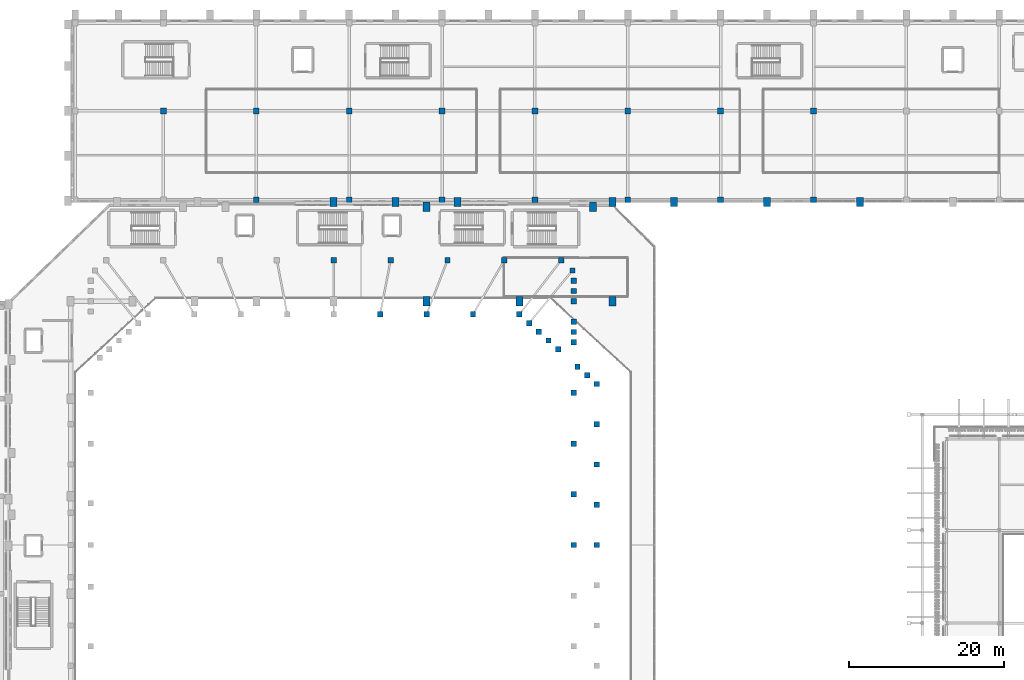
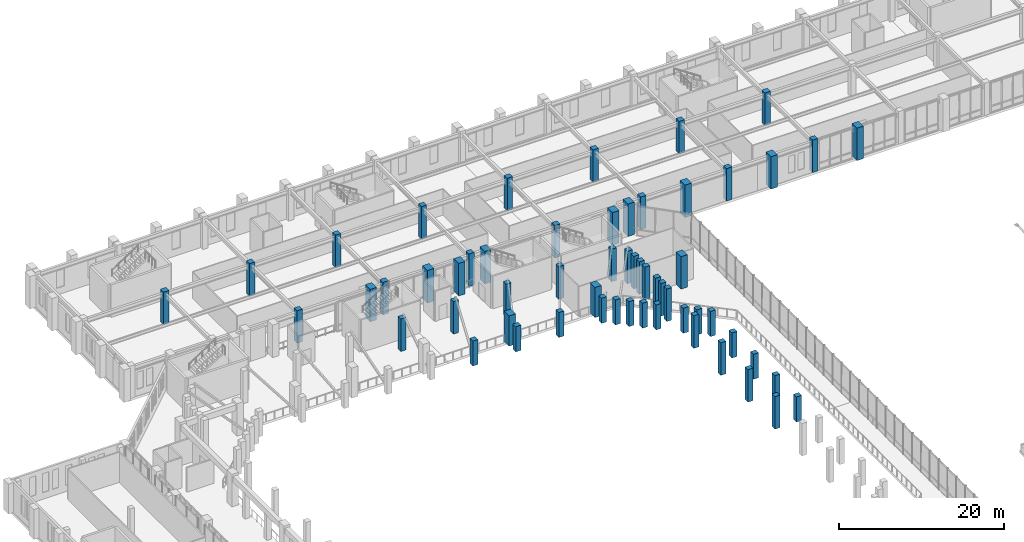
# One storey, part 3 of 126: 58 columns.
"""IFC4 building model written with IfcOpenShell, lengths in metres."""

from ifc_helpers import new_model, si_unit, derived_unit, direction, frame, origin, origin_2d, place, context, subcontext, project, spatial, rectangle, extrude, material, material_profile, profile_set, type_object, element, save


model = new_model("IFC4")

# Units and contexts
model_context = context("Model", 3, precision=1e-05, world=origin(), true_north=direction((0.0, 1.0)))
body_context = subcontext(model_context, "Body", "Model", "MODEL_VIEW")
ifc_project = project(units=[si_unit("LENGTHUNIT", "METRE"), si_unit("AREAUNIT", "SQUARE_METRE"), si_unit("VOLUMEUNIT", "CUBIC_METRE"), si_unit("PLANEANGLEUNIT", "RADIAN"), si_unit("MASSUNIT", "GRAM", prefix="KILO"), derived_unit("THERMALTRANSMITTANCEUNIT", [(si_unit("MASSUNIT", "GRAM", prefix="KILO"), 1), (si_unit("TIMEUNIT", "SECOND"), -3), (si_unit("THERMODYNAMICTEMPERATUREUNIT", "KELVIN"), -1)])], contexts=[model_context])

# Site, building, storey
site_placement = place(None, origin())
site = spatial("IfcSite", under=ifc_project, at=site_placement, CompositionType="ELEMENT")
building_placement = place(site_placement, origin())
building = spatial("IfcBuilding", under=site, at=building_placement, Name="Valcora Ridge Arena", CompositionType="ELEMENT")
storey_placement = place(building_placement, frame((0.0, 0.0, 11.39990234375)))
storey = spatial("IfcBuildingStorey", under=building, at=storey_placement, Name="L02", CompositionType="ELEMENT", Elevation=11.39990234375)

# Columns
ifc_material_1 = material(Name="Bush-hammered Andean travertine architectural concrete C45/55", Category="masonry")
ifc_material_profile_1 = material_profile(ifc_material_1, rectangle(XDim=0.89990234375, YDim=1.199951171875, at=origin_2d()), Name="RC 900x1200")
ifc_profile_set_1 = profile_set([ifc_material_profile_1], Name="Bush-hammered Andean travertine architectural concrete C45/55")
column_type_1 = type_object("IfcColumnType", Name="TY-COLUMN-C-BUTT-1200", PredefinedType="PILASTER", material=ifc_profile_set_1)
for number, where, z_axis, x_axis, name in (
    (1, (70.0, 107.800048828125, 0.0), (0.0, 0.0, 1.0), (1.0, 0.0, 0.0), "C-BUTT-1200 COL-C-BUTT-1200-0028"),
    (2, (91.5, 107.800048828125, 0.0), (0.0, 0.0, 1.0), (1.0, 0.0, 0.0), "C-BUTT-1200 COL-C-BUTT-1200-0032"),
    (3, (58.0, 108.419921875, 0.0), (0.0, 0.0, 1.0), (1.0, 0.0, 0.0), "C-BUTT-1200 COL-C-BUTT-1200-0338"),
    (4, (66.0, 108.419921875, 0.0), (0.0, 0.0, 1.0), (1.0, 0.0, 0.0), "C-BUTT-1200 COL-C-BUTT-1200-0342"),
    (5, (74.0, 108.419921875, 0.0), (0.0, 0.0, 1.0), (1.0, 0.0, 0.0), "C-BUTT-1200 COL-C-BUTT-1200-0346"),
    (6, (94.0, 108.419921875, 0.0), (0.0, 0.0, 1.0), (1.0, 0.0, 0.0), "C-BUTT-1200 COL-C-BUTT-1200-0350"),
    (7, (102.0, 108.419921875, 0.0), (0.0, 0.0, 1.0), (1.0, 0.0, 0.0), "C-BUTT-1200 COL-C-BUTT-1200-0354"),
    (8, (114.0, 108.419921875, 0.0), (0.0, 0.0, 1.0), (1.0, 0.0, 0.0), "C-BUTT-1200 COL-C-BUTT-1200-0358"),
    (9, (126.0, 108.419921875, 0.0), (0.0, 0.0, 1.0), (1.0, 0.0, 0.0), "C-BUTT-1200 COL-C-BUTT-1200-0362"),
):
    element("IfcColumn", number, at=place(storey_placement, frame(where, z_axis=z_axis, x_axis=x_axis)), inside=storey, type_object=column_type_1, Name=name, PredefinedType="PILASTER", context=body_context, shape_type="SweptSolid", body=[
        extrude(rectangle(XDim=0.89990234375, YDim=1.199951171875, at=origin_2d()), origin(), (0.0, 0.0, 1.0), 4.800048828125),
    ])
ifc_material_2 = material(Name="Concrete C40/50", Category="concrete")
ifc_material_profile_2 = material_profile(ifc_material_2, rectangle(XDim=0.75, YDim=0.75, at=origin_2d()), Name="RC 750x750")
ifc_profile_set_2 = profile_set([ifc_material_profile_2], Name="Concrete C40/50")
column_type_2 = type_object("IfcColumnType", Name="TY-COLUMN-C-RC750", PredefinedType="COLUMN", material=ifc_profile_set_2)
for number, where, z_axis, x_axis, name in (
    (10, (36.0, 120.199951171875, 0.0), (0.0, 0.0, 1.0), (1.0, 0.0, 0.0), "C-RC750 COL-C-RC750-0009"),
    (11, (48.0, 108.699951171875, 0.0), (0.0, 0.0, 1.0), (1.0, 0.0, 0.0), "C-RC750 COL-C-RC750-0013"),
    (12, (48.0, 120.199951171875, 0.0), (0.0, 0.0, 1.0), (1.0, 0.0, 0.0), "C-RC750 COL-C-RC750-0015"),
    (13, (60.0, 108.699951171875, 0.0), (0.0, 0.0, 1.0), (1.0, 0.0, 0.0), "C-RC750 COL-C-RC750-0019"),
    (14, (60.0, 120.199951171875, 0.0), (0.0, 0.0, 1.0), (1.0, 0.0, 0.0), "C-RC750 COL-C-RC750-0021"),
    (15, (72.0, 108.699951171875, 0.0), (0.0, 0.0, 1.0), (1.0, 0.0, 0.0), "C-RC750 COL-C-RC750-0025"),
    (16, (72.0, 120.199951171875, 0.0), (0.0, 0.0, 1.0), (1.0, 0.0, 0.0), "C-RC750 COL-C-RC750-0027"),
    (17, (84.0, 108.699951171875, 0.0), (0.0, 0.0, 1.0), (1.0, 0.0, 0.0), "C-RC750 COL-C-RC750-0031"),
    (18, (84.0, 120.199951171875, 0.0), (0.0, 0.0, 1.0), (1.0, 0.0, 0.0), "C-RC750 COL-C-RC750-0033"),
    (19, (96.0, 108.699951171875, 0.0), (0.0, 0.0, 1.0), (1.0, 0.0, 0.0), "C-RC750 COL-C-RC750-0037"),
    (20, (96.0, 120.199951171875, 0.0), (0.0, 0.0, 1.0), (1.0, 0.0, 0.0), "C-RC750 COL-C-RC750-0039"),
    (21, (108.0, 108.699951171875, 0.0), (0.0, 0.0, 1.0), (1.0, 0.0, 0.0), "C-RC750 COL-C-RC750-0043"),
    (22, (108.0, 120.199951171875, 0.0), (0.0, 0.0, 1.0), (1.0, 0.0, 0.0), "C-RC750 COL-C-RC750-0045"),
    (23, (120.0, 108.699951171875, 0.0), (0.0, 0.0, 1.0), (1.0, 0.0, 0.0), "C-RC750 COL-C-RC750-0049"),
    (24, (120.0, 120.199951171875, 0.0), (0.0, 0.0, 1.0), (1.0, 0.0, 0.0), "C-RC750 COL-C-RC750-0051"),
):
    element("IfcColumn", number, at=place(storey_placement, frame(where, z_axis=z_axis, x_axis=x_axis)), inside=storey, type_object=column_type_2, Name=name, PredefinedType="COLUMN", context=body_context, shape_type="SweptSolid", body=[
        extrude(rectangle(XDim=0.75, YDim=0.75, at=origin_2d()), origin(), (0.0, 0.0, 1.0), 4.800048828125),
    ])
ifc_material_profile_3 = material_profile(ifc_material_2, rectangle(XDim=0.89990234375, YDim=1.199951171875, at=origin_2d()), Name="RC 900x1200")
ifc_profile_set_3 = profile_set([ifc_material_profile_3], Name="Concrete C40/50")
column_type_3 = type_object("IfcColumnType", Name="TY-COLUMN-C-RC900", PredefinedType="COLUMN", material=ifc_profile_set_3)
for number, where, z_axis, x_axis, name in (
    (25, (70.0, 95.60009765625, 0.0), (0.0, 0.0, 1.0), (1.0, 0.0, 0.0), "C-RC900 COL-C-RC900-0032"),
    (26, (82.0, 95.60009765625, 0.0), (0.0, 0.0, 1.0), (1.0, 0.0, 0.0), "C-RC900 COL-C-RC900-0036"),
):
    element("IfcColumn", number, at=place(storey_placement, frame(where, z_axis=z_axis, x_axis=x_axis)), inside=storey, type_object=column_type_3, Name=name, PredefinedType="COLUMN", context=body_context, shape_type="SweptSolid", body=[
        extrude(rectangle(XDim=0.89990234375, YDim=1.199951171875, at=origin_2d()), origin(), (0.0, 0.0, 1.0), 4.4501953125),
    ])
column_placement = place(storey_placement, frame((94.0, 95.60009765625, 0.0), z_axis=(0.0, 0.0, 1.0), x_axis=(1.0, 0.0, 0.0)))
element("IfcColumn", 27, at=column_placement, inside=storey, type_object=column_type_3, Name="C-RC900 COL-C-RC900-0040", PredefinedType="COLUMN", context=body_context, shape_type="SweptSolid", body=[
    extrude(rectangle(XDim=0.89990234375, YDim=1.199951171875, at=origin_2d()), origin(), (0.0, 0.0, 1.0), 4.800048828125),
])
ifc_material_profile_4 = material_profile(ifc_material_2, rectangle(XDim=0.699951171875, YDim=0.699951171875, at=origin_2d()), Name="RC 700x700")
ifc_profile_set_4 = profile_set([ifc_material_profile_4], Name="Concrete C40/50")
column_type_4 = type_object("IfcColumnType", Name="TY-COLUMN-C-RKRU700A", PredefinedType="COLUMN", material=ifc_profile_set_4)
for number, where, z_axis, x_axis, name in (
    (28, (92.0, 64.10009765625, 0.0), (0.0, 0.0, 1.0), (1.0, 0.0, 0.0), "C-RKRU700A COL-RK-C-RKRU700A-0020"),
    (29, (92.0, 69.300048828125, 0.0), (0.0, 0.0, 1.0), (1.0, 0.0, 0.0), "C-RKRU700A COL-RK-C-RKRU700A-0021"),
    (30, (92.0, 74.5, 0.0), (0.0, 0.0, 1.0), (1.0, 0.0, 0.0), "C-RKRU700A COL-RK-C-RKRU700A-0022"),
    (31, (92.0, 79.699951171875, 0.0), (0.0, 0.0, 1.0), (1.0, 0.0, 0.0), "C-RKRU700A COL-RK-C-RKRU700A-0023"),
    (32, (92.0, 84.89990234375, 0.0), (0.0, 0.0, 1.0), (1.0, 0.0, 0.0), "C-RKRU700A COL-RK-C-RKRU700A-0024"),
    (33, (90.75, 86.02490234375, 0.0), (0.0, 0.0, 1.0), (1.0, 0.0, 0.0), "C-RKRU700A COL-RK-C-RKRU700A-0025"),
    (34, (89.5, 87.14990234375, 0.0), (0.0, 0.0, 1.0), (1.0, 0.0, 0.0), "C-RKRU700A COL-RK-C-RKRU700A-0026"),
    (35, (87.0, 89.39990234375, 0.0), (0.0, 0.0, 1.0), (1.0, 0.0, 0.0), "C-RKRU700A COL-RK-C-RKRU700A-0027"),
    (36, (85.75, 90.52490234375, 0.0), (0.0, 0.0, 1.0), (1.0, 0.0, 0.0), "C-RKRU700A COL-RK-C-RKRU700A-0028"),
    (37, (84.5, 91.64990234375, 0.0), (0.0, 0.0, 1.0), (1.0, 0.0, 0.0), "C-RKRU700A COL-RK-C-RKRU700A-0029"),
    (38, (83.25, 92.77490234375, 0.0), (0.0, 0.0, 1.0), (1.0, 0.0, 0.0), "C-RKRU700A COL-RK-C-RKRU700A-0030"),
    (39, (82.0, 93.89990234375, 0.0), (0.0, 0.0, 1.0), (1.0, 0.0, 0.0), "C-RKRU700A COL-RK-C-RKRU700A-0031"),
    (40, (76.0, 93.89990234375, 0.0), (0.0, 0.0, 1.0), (1.0, 0.0, 0.0), "C-RKRU700A COL-RK-C-RKRU700A-0032"),
    (41, (70.0, 93.89990234375, 0.0), (0.0, 0.0, 1.0), (1.0, 0.0, 0.0), "C-RKRU700A COL-RK-C-RKRU700A-0033"),
    (42, (64.0, 93.89990234375, 0.0), (0.0, 0.0, 1.0), (1.0, 0.0, 0.0), "C-RKRU700A COL-RK-C-RKRU700A-0034"),
):
    element("IfcColumn", number, at=place(storey_placement, frame(where, z_axis=z_axis, x_axis=x_axis)), inside=storey, type_object=column_type_4, Name=name, PredefinedType="COLUMN", context=body_context, shape_type="SweptSolid", body=[
        extrude(rectangle(XDim=0.699951171875, YDim=0.699951171875, at=origin_2d()), origin(), (0.0, 0.0, 1.0), 3.7001953125),
    ])
ifc_material_profile_5 = material_profile(ifc_material_2, rectangle(XDim=0.699951171875, YDim=0.699951171875, at=origin_2d()), Name="RC 700x700")
ifc_profile_set_5 = profile_set([ifc_material_profile_5], Name="Concrete C40/50")
column_type_5 = type_object("IfcColumnType", Name="TY-COLUMN-C-RKRU700B", PredefinedType="COLUMN", material=ifc_profile_set_5)
for number, where, z_axis, x_axis, name in (
    (43, (89.0, 64.10009765625, 0.0), (0.0, 0.0, 1.0), (1.0, 0.0, 0.0), "C-RKRU700B COL-RK-C-RKRU700B-0099"),
    (44, (89.0, 70.64990234375, 0.0), (0.0, 0.0, 1.0), (1.0, 0.0, 0.0), "C-RKRU700B COL-RK-C-RKRU700B-0104"),
    (45, (89.0, 77.199951171875, 0.0), (0.0, 0.0, 1.0), (1.0, 0.0, 0.0), "C-RKRU700B COL-RK-C-RKRU700B-0109"),
    (46, (89.0, 83.75, 0.0), (0.0, 0.0, 1.0), (1.0, 0.0, 0.0), "C-RKRU700B COL-RK-C-RKRU700B-0114"),
    (47, (89.0, 90.300048828125, 0.0), (0.0, 0.0, 1.0), (1.0, 0.0, 0.0), "C-RKRU700B COL-RK-C-RKRU700B-0119"),
    (48, (89.0, 91.625, 0.0), (0.0, 0.0, 1.0), (1.0, 0.0, 0.0), "C-RKRU700B COL-RK-C-RKRU700B-0124"),
    (49, (89.0, 92.949951171875, 0.0), (0.0, 0.0, 1.0), (1.0, 0.0, 0.0), "C-RKRU700B COL-RK-C-RKRU700B-0129"),
    (50, (89.0, 95.60009765625, 0.0), (0.0, 0.0, 1.0), (1.0, 0.0, 0.0), "C-RKRU700B COL-RK-C-RKRU700B-0134"),
    (51, (89.0, 96.925048828125, 0.0), (0.0, 0.0, 1.0), (1.0, 0.0, 0.0), "C-RKRU700B COL-RK-C-RKRU700B-0139"),
    (52, (89.0, 98.25, 0.0), (0.0, 0.0, 1.0), (1.0, 0.0, 0.0), "C-RKRU700B COL-RK-C-RKRU700B-0144"),
    (53, (88.85009765625, 99.574951171875, 0.0), (0.0, 0.0, 1.0), (1.0, 0.0, 0.0), "C-RKRU700B COL-RK-C-RKRU700B-0149"),
    (54, (87.39990234375, 100.89990234375, 0.0), (0.0, 0.0, 1.0), (1.0, 0.0, 0.0), "C-RKRU700B COL-RK-C-RKRU700B-0154"),
    (55, (80.050048828125, 100.89990234375, 0.0), (0.0, 0.0, 1.0), (1.0, 0.0, 0.0), "C-RKRU700B COL-RK-C-RKRU700B-0159"),
    (56, (72.699951171875, 100.89990234375, 0.0), (0.0, 0.0, 1.0), (1.0, 0.0, 0.0), "C-RKRU700B COL-RK-C-RKRU700B-0164"),
    (57, (65.35009765625, 100.89990234375, 0.0), (0.0, 0.0, 1.0), (1.0, 0.0, 0.0), "C-RKRU700B COL-RK-C-RKRU700B-0169"),
    (58, (58.0, 100.89990234375, 0.0), (0.0, 0.0, 1.0), (1.0, 0.0, 0.0), "C-RKRU700B COL-RK-C-RKRU700B-0174"),
):
    element("IfcColumn", number, at=place(storey_placement, frame(where, z_axis=z_axis, x_axis=x_axis)), inside=storey, type_object=column_type_5, Name=name, PredefinedType="COLUMN", context=body_context, shape_type="SweptSolid", body=[
        extrude(rectangle(XDim=0.699951171875, YDim=0.699951171875, at=origin_2d()), origin(), (0.0, 0.0, 1.0), 4.800048828125),
    ])

save(model, "model.ifc")
